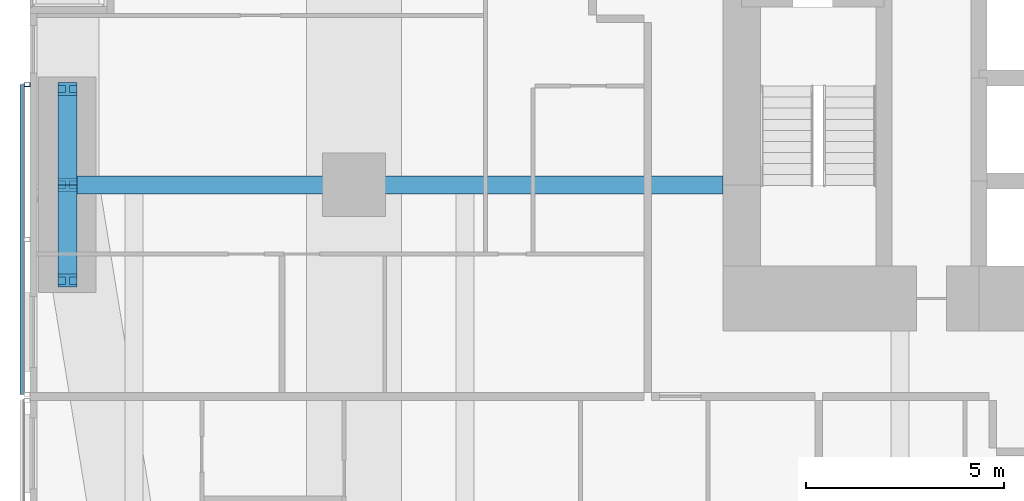
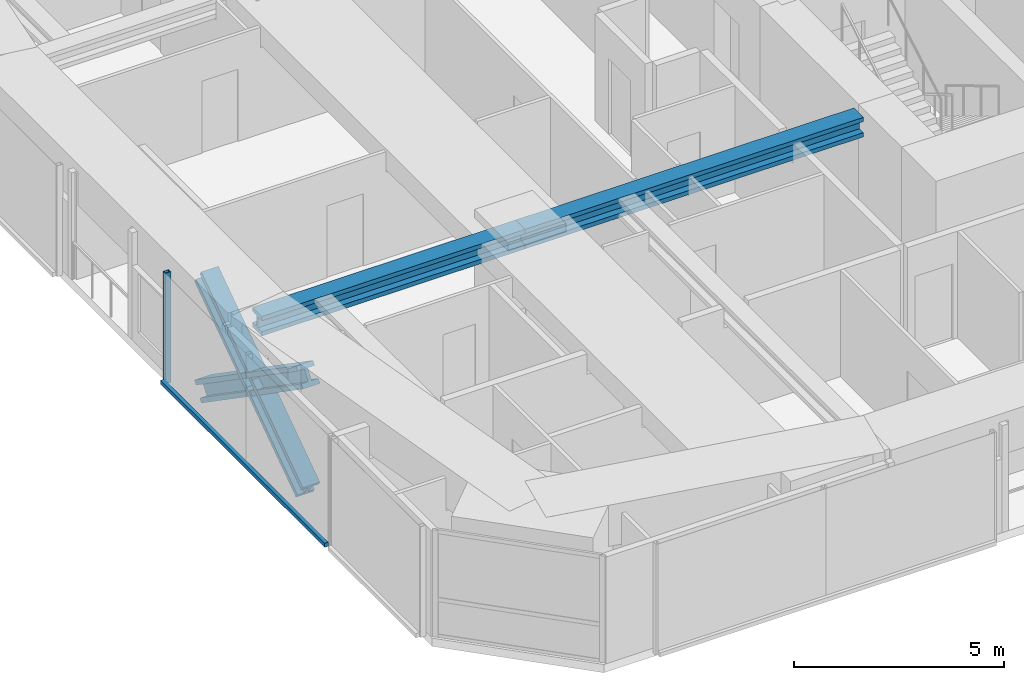
# One storey, part 3 of 23: 6 members, 2 beams, 1 element without a shape of its own.
"""IFC4 building model written with IfcOpenShell, lengths in metres."""

import ifcopenshell
import ifcopenshell.guid

model = None  # the IFC model being written
_history = None  # IfcOwnerHistory: only IFC2X3 demands one
_inside = {}  # id of a spatial element -> (the spatial element, [elements in it])
_under = {}  # id of a project, library or spatial element -> (it, [spatial elements below it])
_declared = {}  # id of a project -> (the project, [libraries it declares])
_typed = {}  # id of a type object -> (the type object, [elements of that type])
_made_of = {}  # id of a material, layer set ... -> (it, [elements and type objects made of it])


def new_model(schema):
    """Start an empty IFC model of exactly this schema.

    Asked for "IFC4X3", IfcOpenShell would pick the latest addendum, in which some entities
    have other attributes; the version numbers below select the first issue.
    IFC2X3 requires an IfcOwnerHistory on every rooted entity: one is made here for all.
    """
    global model, _history
    if schema == "IFC4X3":
        model = ifcopenshell.file(schema_version=(4, 3, 0, 0))
    else:
        model = ifcopenshell.file(schema=schema)
    _inside.clear()
    _under.clear()
    _declared.clear()
    _typed.clear()
    _made_of.clear()
    _history = None
    if model.schema == "IFC2X3":
        org = make("IfcOrganization", Name="unknown")
        user = make(
            "IfcPersonAndOrganization",
            ThePerson=make("IfcPerson", FamilyName="unknown"),
            TheOrganization=org,
        )
        app = make(
            "IfcApplication",
            ApplicationDeveloper=org,
            Version="unknown",
            ApplicationFullName="unknown",
            ApplicationIdentifier="unknown",
        )
        _history = make(
            "IfcOwnerHistory",
            OwningUser=user,
            OwningApplication=app,
            ChangeAction="ADDED",
            CreationDate=0,
        )
    return model


def make(cls, **values):
    """One entity of the class cls with the attributes given. An attribute that is None is left unset."""
    return model.create_entity(
        cls, **{name: value for name, value in values.items() if value is not None}
    )


def rooted(cls, **values):
    """An entity with a GlobalId (a new one), such as an element, a storey or a relation."""
    return make(cls, GlobalId=ifcopenshell.guid.new(), OwnerHistory=_history, **values)


def si_unit(unit_type, name, prefix=None):
    """IfcSIUnit, for example si_unit("LENGTHUNIT", "METRE", prefix="MILLI")."""
    return make("IfcSIUnit", UnitType=unit_type, Prefix=prefix, Name=name)


def assignment(units):
    """IfcUnitAssignment: the units of a project."""
    return None if units is None else make("IfcUnitAssignment", Units=units)


def point(xyz):
    """IfcCartesianPoint."""
    return None if xyz is None else make("IfcCartesianPoint", Coordinates=xyz)


def direction(xyz):
    """IfcDirection."""
    return None if xyz is None else make("IfcDirection", DirectionRatios=xyz)


def frame(location, z_axis=None, x_axis=None):
    """IfcAxis2Placement3D, a coordinate frame: its origin and axes. An axis left out is left unset."""
    return make(
        "IfcAxis2Placement3D",
        Location=point(location),
        Axis=direction(z_axis),
        RefDirection=direction(x_axis),
    )


def frame_2d(location, x_axis=None):
    """IfcAxis2Placement2D, a coordinate frame in the plane: its origin and x axis."""
    return make(
        "IfcAxis2Placement2D", Location=point(location), RefDirection=direction(x_axis)
    )


def origin():
    """The frame at (0, 0, 0) with its axes left unset."""
    return frame((0.0, 0.0, 0.0))


def origin_2d():
    """The frame at (0, 0) in the plane with its x axis left unset."""
    return frame_2d((0.0, 0.0))


def place(relative_to, where):
    """IfcLocalPlacement: puts the frame where relative to a parent placement (None: the world)."""
    return make(
        "IfcLocalPlacement", PlacementRelTo=relative_to, RelativePlacement=where
    )


def context(
    kind, dimensions, precision=None, world=None, true_north=None, identifier=None
):
    """IfcGeometricRepresentationContext, for example the 3D "Model" context."""
    return make(
        "IfcGeometricRepresentationContext",
        ContextIdentifier=identifier,
        ContextType=kind,
        CoordinateSpaceDimension=dimensions,
        Precision=precision,
        WorldCoordinateSystem=world,
        TrueNorth=true_north,
    )


def subcontext(parent, identifier, kind, view, scale=None):
    """IfcGeometricRepresentationSubContext, for example "Body" below "Model"."""
    return make(
        "IfcGeometricRepresentationSubContext",
        ContextIdentifier=identifier,
        ContextType=kind,
        ParentContext=parent,
        TargetScale=scale,
        TargetView=view,
    )


def project(units=None, contexts=None):
    """IfcProject with its units and contexts."""
    return rooted(
        "IfcProject",
        Name="project",
        RepresentationContexts=contexts,
        UnitsInContext=assignment(units),
    )


def spatial(cls, under=None, at=None, **own):
    """A site, building, storey or space (cls), placed at a placement, below another one or the project."""
    s = rooted(cls, ObjectPlacement=at, **own)
    if under is not None:
        _under.setdefault(under.id(), (under, []))[1].append(s)
    return s


def profile(cls, at=None, kind="AREA", **sizes):
    """A parametric profile (cls). Its sizes go by their IFC names, for example OverallWidth=200.0."""
    return make(cls, ProfileType=kind, Position=at, **sizes)


def rectangle(**sizes):
    """IfcRectangleProfileDef."""
    return profile("IfcRectangleProfileDef", **sizes)


def hollow_rectangle(**sizes):
    """IfcRectangleHollowProfileDef."""
    return profile("IfcRectangleHollowProfileDef", **sizes)


def i_section(**sizes):
    """IfcIShapeProfileDef."""
    return profile("IfcIShapeProfileDef", **sizes)


def extrude(swept, where, along, depth):
    """IfcExtrudedAreaSolid: the profile swept, set in the frame where, extruded along a direction by depth."""
    return make(
        "IfcExtrudedAreaSolid",
        SweptArea=swept,
        Position=where,
        ExtrudedDirection=direction(along),
        Depth=depth,
    )


def shape(context_of_items, identifier, shape_type, items):
    """IfcShapeRepresentation: the items that make up one representation, for example the "Body"."""
    return make(
        "IfcShapeRepresentation",
        ContextOfItems=context_of_items,
        RepresentationIdentifier=identifier,
        RepresentationType=shape_type,
        Items=items,
    )


def material(Name=None, Category=None):
    """IfcMaterial."""
    return make("IfcMaterial", Name=Name, Category=Category)


def material_profile(
    of_material, cross_section, Name=None, Category=None, Priority=None
):
    """IfcMaterialProfile: a cross section and its material."""
    return make(
        "IfcMaterialProfile",
        Name=Name,
        Material=of_material,
        Profile=cross_section,
        Priority=Priority,
        Category=Category,
    )


def profile_set(profiles, Name=None, composite=None):
    """IfcMaterialProfileSet."""
    return make(
        "IfcMaterialProfileSet",
        Name=Name,
        MaterialProfiles=profiles,
        CompositeProfile=composite,
    )


def made_of(thing, what):
    """Note that an element or type object is made of a material, layer set ...; save() writes the relation."""
    if what is not None:
        _made_of.setdefault(what.id(), (what, []))[1].append(thing)
    return thing


def type_object(cls, material=None, **own):
    """A type object (cls), such as IfcWallType, which elements share."""
    return made_of(rooted(cls, **own), material)


def element(
    cls,
    number,
    at=None,
    inside=None,
    cuts=None,
    type_object=None,
    material=None,
    context=None,
    identifier="Body",
    shape_type=None,
    held_by="IfcProductDefinitionShape",
    body=None,
    shapes=None,
    **own,
):
    """One element of the class cls, such as IfcWall. Its Tag is "e" and its number.

    at: its placement. inside: the storey or other place that contains it. cuts: it is an
    opening in that element (IfcRelVoidsElement). A single representation is given by context,
    identifier, shape_type and body (its items); several are given by shapes. held_by: the class
    of the entity that holds the representations. save() writes the other relations.
    """
    e = rooted(cls, Tag="e%d" % number, ObjectPlacement=at, **own)
    if body is not None:
        shapes = [shape(context, identifier, shape_type, body)]
    if shapes is not None:
        e.Representation = make(held_by, Representations=shapes)
    if inside is not None:
        _inside.setdefault(inside.id(), (inside, []))[1].append(e)
    if cuts is not None:
        rooted(
            "IfcRelVoidsElement", RelatingBuildingElement=cuts, RelatedOpeningElement=e
        )
    if type_object is not None:
        _typed.setdefault(type_object.id(), (type_object, []))[1].append(e)
    return made_of(e, material)


def aggregate(whole, parts):
    """IfcRelAggregates: a whole, such as a stair, and the parts it consists of."""
    return rooted("IfcRelAggregates", RelatingObject=whole, RelatedObjects=parts)


def save(model, path):
    """Write the relations noted so far, then the file.

    IfcRelAggregates (storeys below a building ...), IfcRelContainedInSpatialStructure (elements
    in a storey), IfcRelDefinesByType, IfcRelAssociatesMaterial and IfcRelDeclares: one each for
    every whole, place, type object, material and project.
    """
    for whole, parts in _under.values():
        aggregate(whole, parts)
    for where, things in _inside.values():
        rooted(
            "IfcRelContainedInSpatialStructure",
            RelatedElements=things,
            RelatingStructure=where,
        )
    for kind, things in _typed.values():
        rooted("IfcRelDefinesByType", RelatedObjects=things, RelatingType=kind)
    for what, things in _made_of.values():
        rooted("IfcRelAssociatesMaterial", RelatedObjects=things, RelatingMaterial=what)
    for by, libraries in _declared.values():
        rooted("IfcRelDeclares", RelatingContext=by, RelatedDefinitions=libraries)
    model.write(path)


model = new_model("IFC4")

# Units and contexts
model_context = context("Model", 3, precision=1e-05, world=origin(), true_north=direction((0.0, 1.0)))
body_context = subcontext(model_context, "Body", "Model", "MODEL_VIEW")
ifc_project = project(units=[si_unit("LENGTHUNIT", "METRE"), si_unit("AREAUNIT", "SQUARE_METRE"), si_unit("VOLUMEUNIT", "CUBIC_METRE"), si_unit("PLANEANGLEUNIT", "RADIAN"), si_unit("MASSUNIT", "GRAM", prefix="KILO")], contexts=[model_context])

# Site, building, storey
site_placement = place(None, origin())
site = spatial("IfcSite", under=ifc_project, at=site_placement, CompositionType="ELEMENT")
building_placement = place(site_placement, origin())
building = spatial("IfcBuilding", under=site, at=building_placement, Name="Jalousie Tower", CompositionType="ELEMENT")
storey_placement = place(building_placement, frame((0.0, 0.0, 31.050048828125)))
storey = spatial("IfcBuildingStorey", under=building, at=storey_placement, Name="L07", CompositionType="ELEMENT", Elevation=31.050048828125)

# Beams
ifc_material_1 = material(Name="Steel ASTM A992 Grade 50", Category="steel")
ifc_material_profile_1 = material_profile(ifc_material_1, i_section(OverallWidth=0.45458984375, OverallDepth=0.569091796875, WebThickness=0.077880859375, FlangeThickness=0.124755859375, at=origin_2d()), Name="W14X730")
ifc_profile_set_1 = profile_set([ifc_material_profile_1], Name="Steel ASTM A992 Grade 50")
beam_type = type_object("IfcBeamType", Name="LEAN COLLECTOR W14X730", PredefinedType="BEAM", material=ifc_profile_set_1)
beam_1_placement = place(storey_placement, frame((2.949951171875, 13.0, 2.825439453125), z_axis=(1.0, 0.0, 0.0), x_axis=(0.0, 1.0, 0.0)))
element("IfcBeam", 1, at=beam_1_placement, inside=storey, type_object=beam_type, Name="Lean collector under L08", PredefinedType="BEAM", context=body_context, shape_type="SweptSolid", body=[
    extrude(i_section(OverallWidth=0.45458984375, OverallDepth=0.569091796875, WebThickness=0.077880859375, FlangeThickness=0.124755859375, at=origin_2d()), origin(), (0.0, 0.0, 1.0), 7.25),
])
beam_2_placement = place(storey_placement, frame((10.199951171875, 13.0, 2.825439453125), z_axis=(1.0, 0.0, 0.0), x_axis=(0.0, 1.0, 0.0)))
element("IfcBeam", 2, at=beam_2_placement, inside=storey, type_object=beam_type, Name="Lean collector under L08", PredefinedType="BEAM", context=body_context, shape_type="SweptSolid", body=[
    extrude(i_section(OverallWidth=0.45458984375, OverallDepth=0.569091796875, WebThickness=0.077880859375, FlangeThickness=0.124755859375, at=origin_2d()), origin(), (0.0, 0.0, 1.0), 9.324951171875),
])

# Members
ifc_material_2 = material(Name="Steel ASTM A992 Grade 50", Category="steel")
ifc_material_profile_2 = material_profile(ifc_material_2, i_section(OverallWidth=0.472412109375, OverallDepth=0.5791015625, WebThickness=0.094970703125, FlangeThickness=0.1298828125, at=origin_2d()), Name="W14X808")
ifc_profile_set_2 = profile_set([ifc_material_profile_2], Name="Steel ASTM A992 Grade 50")
member_type_1 = type_object("IfcMemberType", Name="PERIMETER BRACE W14X808", PredefinedType="BRACE", material=ifc_profile_set_2)
for number, where, z_axis, x_axis, name in (
    (3, (2.949951171875, 10.574951171875, -0.60009765625), (0.0, 0.822800062329, 0.568330940062), (-1.0, 0.0, 0.0), "Perimeter brace 14 L07 part 1"),
    (4, (2.949951171875, 13.0, 1.074951171875), (0.0, 0.822800062329, 0.568330940062), (-1.0, 0.0, 0.0), "Perimeter brace 14 L07 part 2"),
    (5, (2.949951171875, 15.425048828125, -0.60009765625), (0.0, -0.822800062329, 0.568330940062), (1.0, 0.0, 0.0), "Perimeter brace 14 L07 part 3"),
    (6, (2.949951171875, 13.0, 1.074951171875), (0.0, -0.822800062329, 0.568330940062), (1.0, 0.0, 0.0), "Perimeter brace 14 L07 part 4"),
):
    element("IfcMember", number, at=place(storey_placement, frame(where, z_axis=z_axis, x_axis=x_axis)), inside=storey, type_object=member_type_1, Name=name, PredefinedType="BRACE", context=body_context, shape_type="SweptSolid", body=[
        extrude(i_section(OverallWidth=0.472412109375, OverallDepth=0.5791015625, WebThickness=0.094970703125, FlangeThickness=0.1298828125, at=origin_2d()), origin(), (0.0, 0.0, 1.0), 2.947265625),
    ])

# Curtain wall, members
ifc_material_3 = material(Name="Perforated aluminium sheet", Category="aluminium")
curtain_wall_type = type_object("IfcCurtainWallType", Name="SOLAR SCREEN SS-1", PredefinedType="USERDEFINED", material=ifc_material_3)
curtain_wall_placement = place(storey_placement, origin())
curtain_wall = element("IfcCurtainWall", 7, at=curtain_wall_placement, inside=storey, type_object=curtain_wall_type, Name="Solar screen L07", ObjectType="SOLAR SCREEN SS-1", PredefinedType="USERDEFINED")
ifc_material_4 = material(Name="Steel ASTM A500 Grade C", Category="steel")
ifc_material_profile_3 = material_profile(ifc_material_4, hollow_rectangle(XDim=0.1015625, YDim=0.15234375, WallThickness=0.00634765625, at=origin_2d()), Name="HSS6X4X1/4")
ifc_profile_set_3 = profile_set([ifc_material_profile_3], Name="Steel ASTM A500 Grade C")
member_type_2 = type_object("IfcMemberType", Name="SOLAR SCREEN SS-1 MULLION", PredefinedType="MULLION", material=ifc_profile_set_3)
member_1_placement = place(storey_placement, frame((1.9287109375, 15.533203125, -0.1201171875), z_axis=(0.0, 0.0, 1.0), x_axis=(0.0, -1.0, 0.0)))
member_1 = element("IfcMember", 8, at=member_1_placement, type_object=member_type_2, Name="SS1 post 1", PredefinedType="MULLION", context=body_context, shape_type="SweptSolid", body=[
    extrude(hollow_rectangle(XDim=0.1015625, YDim=0.15234375, WallThickness=0.00634765625, at=origin_2d()), origin(), (0.0, 0.0, 1.0), 3.22998046875),
])
ifc_material_5 = material(Name="Extruded aluminium screen rail", Category="aluminium")
ifc_material_profile_4 = material_profile(ifc_material_5, rectangle(XDim=0.1015625, YDim=0.1201171875, at=origin_2d()), Name="RAIL 102x120")
ifc_profile_set_4 = profile_set([ifc_material_profile_4], Name="Extruded aluminium screen rail")
member_type_3 = type_object("IfcMemberType", Name="SOLAR SCREEN SS-1 TRANSOM", PredefinedType="USERDEFINED", material=ifc_profile_set_4)
member_2_placement = place(storey_placement, frame((1.8017578125, 15.533203125, -0.06005859375), z_axis=(0.0, -1.0, 0.0), x_axis=(1.0, 0.0, 0.0)))
member_2 = element("IfcMember", 9, at=member_2_placement, type_object=member_type_3, Name="SS1 rail", ObjectType="TRANSOM", PredefinedType="USERDEFINED", context=body_context, shape_type="SweptSolid", body=[
    extrude(rectangle(XDim=0.1015625, YDim=0.1201171875, at=origin_2d()), origin(), (0.0, 0.0, 1.0), 7.833251953125),
])
aggregate(curtain_wall, [member_1, member_2])

save(model, "model.ifc")
